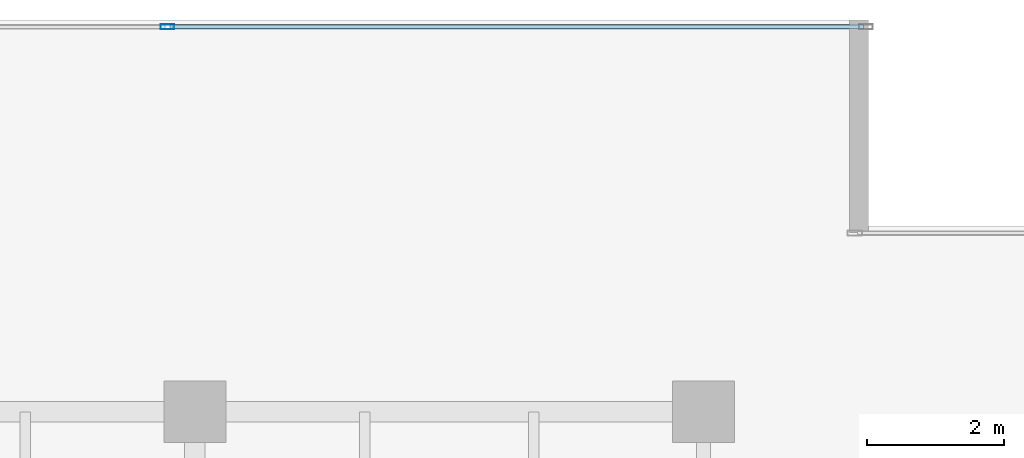
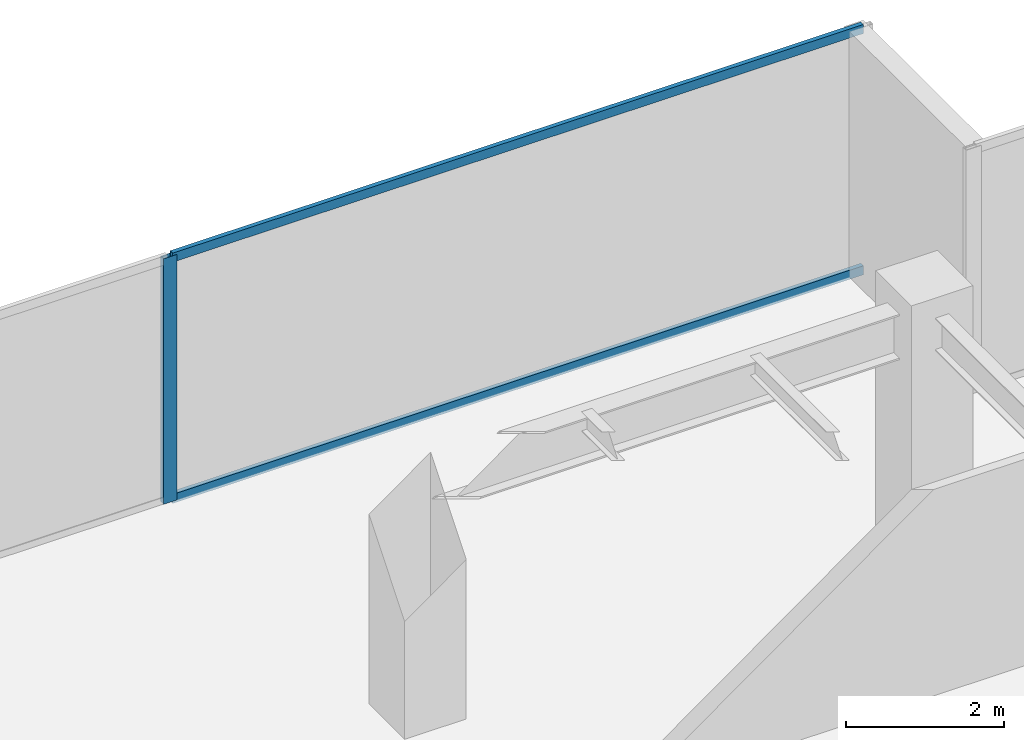
# One storey, part 20 of 30: 3 members, 1 element without a shape of its own.
"""IFC4 building model written with IfcOpenShell, lengths in metres."""

from ifc_helpers import new_model, si_unit, direction, frame, origin, origin_2d, place, context, subcontext, project, spatial, hollow_rectangle, extrude, source, transform, mapped, material, layer, layer_set, material_profile, profile_set, type_object, type_shapes, element, aggregate, save


model = new_model("IFC4")

# Units and contexts
model_context = context("Model", 3, precision=1e-05, world=origin(), true_north=direction((0.0, 1.0)))
body_context = subcontext(model_context, "Body", "Model", "MODEL_VIEW")
ifc_project = project(units=[si_unit("LENGTHUNIT", "METRE"), si_unit("AREAUNIT", "SQUARE_METRE"), si_unit("VOLUMEUNIT", "CUBIC_METRE"), si_unit("PLANEANGLEUNIT", "RADIAN"), si_unit("MASSUNIT", "GRAM", prefix="KILO")], contexts=[model_context])

# Site, building, storey
site_placement = place(None, origin())
site = spatial("IfcSite", under=ifc_project, at=site_placement, CompositionType="ELEMENT")
building_placement = place(site_placement, origin())
building = spatial("IfcBuilding", under=site, at=building_placement, Name="Haelvirn Gate Laboratories", CompositionType="ELEMENT")
storey_placement = place(building_placement, frame((0.0, 0.0, 183.0)))
storey = spatial("IfcBuildingStorey", under=building, at=storey_placement, Name="L44", CompositionType="ELEMENT", Elevation=183.0)

# Curtain wall, members
ifc_material_1 = material(Name="Anodised bronze unitised aluminium & triple low-E glass", Category="aluminium")
ifc_layer = layer(ifc_material_1, 0.179931640625, Name="CW-SYS-3")
ifc_layer_set = layer_set([ifc_layer], Name="Anodised bronze unitised aluminium & triple low-E glass")
curtain_wall_type = type_object("IfcCurtainWallType", Name="CW-SYS-3", PredefinedType="NOTDEFINED", material=ifc_layer_set)
curtain_wall_placement = place(storey_placement, origin())
curtain_wall = element("IfcCurtainWall", 1, at=curtain_wall_placement, inside=storey, type_object=curtain_wall_type, Name="L44 Unitised Curtain Wall CW-L44-P0-E10-1", PredefinedType="NOTDEFINED")
ifc_material_2 = material(Name="Extruded aluminium 6063-T6 (anodised bronze)", Category="aluminium")
ifc_material_profile_1 = material_profile(ifc_material_2, hollow_rectangle(XDim=0.06494140625, YDim=0.139892578125, WallThickness=0.00390625, at=origin_2d()), Name="CWT-140x65x4")
ifc_profile_set_1 = profile_set([ifc_material_profile_1], Name="Extruded aluminium 6063-T6 (anodised bronze)")
member_type_1 = type_object("IfcMemberType", Name="CWT-T140", PredefinedType="USERDEFINED", material=ifc_profile_set_1)
shared_shape_1 = source(origin(), body_context, "Body", "SweptSolid", [
    extrude(hollow_rectangle(XDim=0.06494140625, YDim=0.139892578125, WallThickness=0.00390625, at=origin_2d()), origin(), (0.0, 0.0, 1.0), 10.087646484375),
])
type_shapes(member_type_1, [shared_shape_1])
member_1_placement = place(storey_placement, frame((59.637451171875, 47.199951171875, 0.032470703125), z_axis=(1.0, 0.0, 0.0), x_axis=(0.0, 1.0, 0.0)))
member_1 = element("IfcMember", 2, at=member_1_placement, type_object=member_type_1, Name="CW3 transom 2.1", ObjectType="TRANSOM", PredefinedType="USERDEFINED", context=body_context, shape_type="MappedRepresentation", body=[
    mapped(shared_shape_1, transform((0.0, 0.0, 0.0), scale=1.0)),
])
member_2_placement = place(storey_placement, frame((59.637451171875, 47.199951171875, 3.757568359375), z_axis=(1.0, 0.0, 0.0), x_axis=(0.0, 1.0, 0.0)))
member_2 = element("IfcMember", 3, at=member_2_placement, type_object=member_type_1, Name="CW3 transom 2.2", ObjectType="TRANSOM", PredefinedType="USERDEFINED", context=body_context, shape_type="MappedRepresentation", body=[
    mapped(shared_shape_1, transform((0.0, 0.0, 0.0), scale=1.0)),
])
ifc_material_profile_2 = material_profile(ifc_material_2, hollow_rectangle(XDim=0.074951171875, YDim=0.199951171875, WallThickness=0.0048828125, at=origin_2d()), Name="CWM-200x75x5")
ifc_profile_set_2 = profile_set([ifc_material_profile_2], Name="Extruded aluminium 6063-T6 (anodised bronze)")
member_type_2 = type_object("IfcMemberType", Name="CWM-T200", PredefinedType="MULLION", material=ifc_profile_set_2)
shared_shape_2 = source(origin(), body_context, "Body", "SweptSolid", [
    extrude(hollow_rectangle(XDim=0.074951171875, YDim=0.199951171875, WallThickness=0.0048828125, at=origin_2d()), origin(), (0.0, 0.0, 1.0), 3.7900390625),
])
type_shapes(member_type_2, [shared_shape_2])
member_3_placement = place(storey_placement, frame((59.60009765625, 47.199951171875, 0.0), z_axis=(0.0, 0.0, 1.0), x_axis=(0.0, 1.0, 0.0)))
member_3 = element("IfcMember", 4, at=member_3_placement, type_object=member_type_2, Name="CW3 mullion 2", PredefinedType="MULLION", context=body_context, shape_type="MappedRepresentation", body=[
    mapped(shared_shape_2, transform((0.0, 0.0, 0.0), scale=1.0)),
])
aggregate(curtain_wall, [member_3, member_1, member_2])

save(model, "model.ifc")
